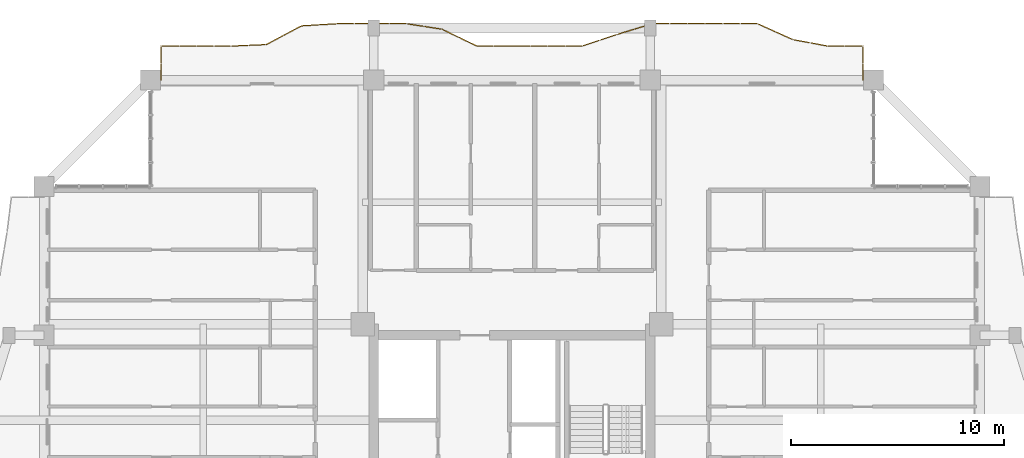
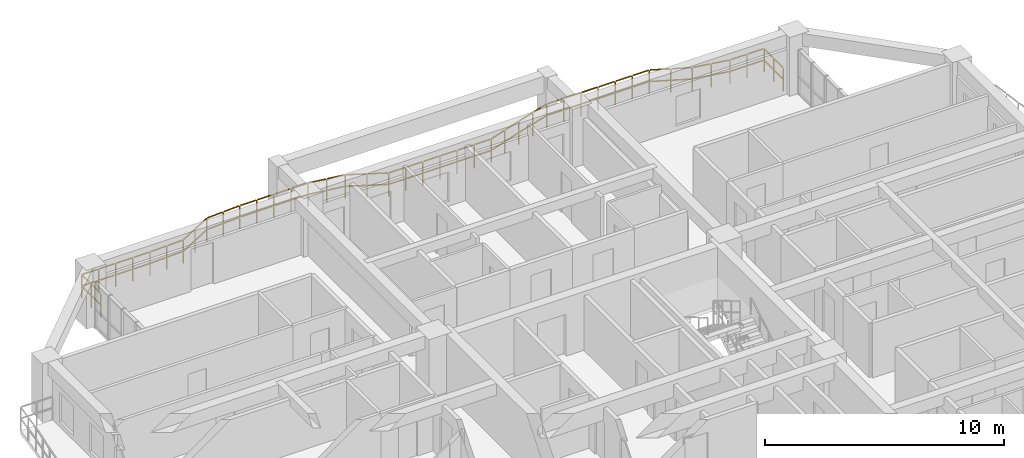
# One storey, part 23 of 23: 1 railing.
"""IFC4 building model written with IfcOpenShell, lengths in metres."""

import ifcopenshell
import ifcopenshell.guid

model = None  # the IFC model being written
_history = None  # IfcOwnerHistory: only IFC2X3 demands one
_inside = {}  # id of a spatial element -> (the spatial element, [elements in it])
_under = {}  # id of a project, library or spatial element -> (it, [spatial elements below it])
_declared = {}  # id of a project -> (the project, [libraries it declares])
_typed = {}  # id of a type object -> (the type object, [elements of that type])
_made_of = {}  # id of a material, layer set ... -> (it, [elements and type objects made of it])


def new_model(schema):
    """Start an empty IFC model of exactly this schema.

    Asked for "IFC4X3", IfcOpenShell would pick the latest addendum, in which some entities
    have other attributes; the version numbers below select the first issue.
    IFC2X3 requires an IfcOwnerHistory on every rooted entity: one is made here for all.
    """
    global model, _history
    if schema == "IFC4X3":
        model = ifcopenshell.file(schema_version=(4, 3, 0, 0))
    else:
        model = ifcopenshell.file(schema=schema)
    _inside.clear()
    _under.clear()
    _declared.clear()
    _typed.clear()
    _made_of.clear()
    _history = None
    if model.schema == "IFC2X3":
        org = make("IfcOrganization", Name="unknown")
        user = make(
            "IfcPersonAndOrganization",
            ThePerson=make("IfcPerson", FamilyName="unknown"),
            TheOrganization=org,
        )
        app = make(
            "IfcApplication",
            ApplicationDeveloper=org,
            Version="unknown",
            ApplicationFullName="unknown",
            ApplicationIdentifier="unknown",
        )
        _history = make(
            "IfcOwnerHistory",
            OwningUser=user,
            OwningApplication=app,
            ChangeAction="ADDED",
            CreationDate=0,
        )
    return model


def make(cls, **values):
    """One entity of the class cls with the attributes given. An attribute that is None is left unset."""
    return model.create_entity(
        cls, **{name: value for name, value in values.items() if value is not None}
    )


def rooted(cls, **values):
    """An entity with a GlobalId (a new one), such as an element, a storey or a relation."""
    return make(cls, GlobalId=ifcopenshell.guid.new(), OwnerHistory=_history, **values)


def si_unit(unit_type, name, prefix=None):
    """IfcSIUnit, for example si_unit("LENGTHUNIT", "METRE", prefix="MILLI")."""
    return make("IfcSIUnit", UnitType=unit_type, Prefix=prefix, Name=name)


def assignment(units):
    """IfcUnitAssignment: the units of a project."""
    return None if units is None else make("IfcUnitAssignment", Units=units)


def point(xyz):
    """IfcCartesianPoint."""
    return None if xyz is None else make("IfcCartesianPoint", Coordinates=xyz)


def direction(xyz):
    """IfcDirection."""
    return None if xyz is None else make("IfcDirection", DirectionRatios=xyz)


def frame(location, z_axis=None, x_axis=None):
    """IfcAxis2Placement3D, a coordinate frame: its origin and axes. An axis left out is left unset."""
    return make(
        "IfcAxis2Placement3D",
        Location=point(location),
        Axis=direction(z_axis),
        RefDirection=direction(x_axis),
    )


def frame_2d(location, x_axis=None):
    """IfcAxis2Placement2D, a coordinate frame in the plane: its origin and x axis."""
    return make(
        "IfcAxis2Placement2D", Location=point(location), RefDirection=direction(x_axis)
    )


def origin():
    """The frame at (0, 0, 0) with its axes left unset."""
    return frame((0.0, 0.0, 0.0))


def origin_2d():
    """The frame at (0, 0) in the plane with its x axis left unset."""
    return frame_2d((0.0, 0.0))


def place(relative_to, where):
    """IfcLocalPlacement: puts the frame where relative to a parent placement (None: the world)."""
    return make(
        "IfcLocalPlacement", PlacementRelTo=relative_to, RelativePlacement=where
    )


def context(
    kind, dimensions, precision=None, world=None, true_north=None, identifier=None
):
    """IfcGeometricRepresentationContext, for example the 3D "Model" context."""
    return make(
        "IfcGeometricRepresentationContext",
        ContextIdentifier=identifier,
        ContextType=kind,
        CoordinateSpaceDimension=dimensions,
        Precision=precision,
        WorldCoordinateSystem=world,
        TrueNorth=true_north,
    )


def subcontext(parent, identifier, kind, view, scale=None):
    """IfcGeometricRepresentationSubContext, for example "Body" below "Model"."""
    return make(
        "IfcGeometricRepresentationSubContext",
        ContextIdentifier=identifier,
        ContextType=kind,
        ParentContext=parent,
        TargetScale=scale,
        TargetView=view,
    )


def project(units=None, contexts=None):
    """IfcProject with its units and contexts."""
    return rooted(
        "IfcProject",
        Name="project",
        RepresentationContexts=contexts,
        UnitsInContext=assignment(units),
    )


def spatial(cls, under=None, at=None, **own):
    """A site, building, storey or space (cls), placed at a placement, below another one or the project."""
    s = rooted(cls, ObjectPlacement=at, **own)
    if under is not None:
        _under.setdefault(under.id(), (under, []))[1].append(s)
    return s


def profile(cls, at=None, kind="AREA", **sizes):
    """A parametric profile (cls). Its sizes go by their IFC names, for example OverallWidth=200.0."""
    return make(cls, ProfileType=kind, Position=at, **sizes)


def rectangle(**sizes):
    """IfcRectangleProfileDef."""
    return profile("IfcRectangleProfileDef", **sizes)


def extrude(swept, where, along, depth):
    """IfcExtrudedAreaSolid: the profile swept, set in the frame where, extruded along a direction by depth."""
    return make(
        "IfcExtrudedAreaSolid",
        SweptArea=swept,
        Position=where,
        ExtrudedDirection=direction(along),
        Depth=depth,
    )


def shape(context_of_items, identifier, shape_type, items):
    """IfcShapeRepresentation: the items that make up one representation, for example the "Body"."""
    return make(
        "IfcShapeRepresentation",
        ContextOfItems=context_of_items,
        RepresentationIdentifier=identifier,
        RepresentationType=shape_type,
        Items=items,
    )


def material(Name=None, Category=None):
    """IfcMaterial."""
    return make("IfcMaterial", Name=Name, Category=Category)


def made_of(thing, what):
    """Note that an element or type object is made of a material, layer set ...; save() writes the relation."""
    if what is not None:
        _made_of.setdefault(what.id(), (what, []))[1].append(thing)
    return thing


def type_object(cls, material=None, **own):
    """A type object (cls), such as IfcWallType, which elements share."""
    return made_of(rooted(cls, **own), material)


def element(
    cls,
    number,
    at=None,
    inside=None,
    cuts=None,
    type_object=None,
    material=None,
    context=None,
    identifier="Body",
    shape_type=None,
    held_by="IfcProductDefinitionShape",
    body=None,
    shapes=None,
    **own,
):
    """One element of the class cls, such as IfcWall. Its Tag is "e" and its number.

    at: its placement. inside: the storey or other place that contains it. cuts: it is an
    opening in that element (IfcRelVoidsElement). A single representation is given by context,
    identifier, shape_type and body (its items); several are given by shapes. held_by: the class
    of the entity that holds the representations. save() writes the other relations.
    """
    e = rooted(cls, Tag="e%d" % number, ObjectPlacement=at, **own)
    if body is not None:
        shapes = [shape(context, identifier, shape_type, body)]
    if shapes is not None:
        e.Representation = make(held_by, Representations=shapes)
    if inside is not None:
        _inside.setdefault(inside.id(), (inside, []))[1].append(e)
    if cuts is not None:
        rooted(
            "IfcRelVoidsElement", RelatingBuildingElement=cuts, RelatedOpeningElement=e
        )
    if type_object is not None:
        _typed.setdefault(type_object.id(), (type_object, []))[1].append(e)
    return made_of(e, material)


def aggregate(whole, parts):
    """IfcRelAggregates: a whole, such as a stair, and the parts it consists of."""
    return rooted("IfcRelAggregates", RelatingObject=whole, RelatedObjects=parts)


def save(model, path):
    """Write the relations noted so far, then the file.

    IfcRelAggregates (storeys below a building ...), IfcRelContainedInSpatialStructure (elements
    in a storey), IfcRelDefinesByType, IfcRelAssociatesMaterial and IfcRelDeclares: one each for
    every whole, place, type object, material and project.
    """
    for whole, parts in _under.values():
        aggregate(whole, parts)
    for where, things in _inside.values():
        rooted(
            "IfcRelContainedInSpatialStructure",
            RelatedElements=things,
            RelatingStructure=where,
        )
    for kind, things in _typed.values():
        rooted("IfcRelDefinesByType", RelatedObjects=things, RelatingType=kind)
    for what, things in _made_of.values():
        rooted("IfcRelAssociatesMaterial", RelatedObjects=things, RelatingMaterial=what)
    for by, libraries in _declared.values():
        rooted("IfcRelDeclares", RelatingContext=by, RelatedDefinitions=libraries)
    model.write(path)


model = new_model("IFC4")

# Units and contexts
model_context = context("Model", 3, precision=1e-05, world=origin(), true_north=direction((0.0, 1.0)))
body_context = subcontext(model_context, "Body", "Model", "MODEL_VIEW")
ifc_project = project(units=[si_unit("LENGTHUNIT", "METRE"), si_unit("AREAUNIT", "SQUARE_METRE"), si_unit("VOLUMEUNIT", "CUBIC_METRE"), si_unit("PLANEANGLEUNIT", "RADIAN"), si_unit("MASSUNIT", "GRAM", prefix="KILO")], contexts=[model_context])

# Site, building, storey
site_placement = place(None, origin())
site = spatial("IfcSite", under=ifc_project, at=site_placement, CompositionType="ELEMENT")
building_placement = place(site_placement, origin())
building = spatial("IfcBuilding", under=site, at=building_placement, Name="Saelheon Loggia Tower", CompositionType="ELEMENT")
storey_placement = place(building_placement, frame((0.0, 0.0, 156.10009765625)))
storey = spatial("IfcBuildingStorey", under=building, at=storey_placement, Name="L49", CompositionType="ELEMENT", Elevation=156.10009765625)

# Railing
ifc_material = material(Name="Architectural Precast Concrete and Laminated Glass Guard", Category="concrete")
railing_type = type_object("IfcRailingType", Name="Guard_Loggia_RL_LOG", PredefinedType="BALUSTRADE", material=ifc_material)
railing_placement = place(storey_placement, frame((54.5, 48.0, 0.0)))
element("IfcRailing", 1, at=railing_placement, inside=storey, type_object=railing_type, Name="L49 North Loggia Balustrade", PredefinedType="BALUSTRADE", context=body_context, shape_type="SweptSolid", body=[
    extrude(rectangle(XDim=0.048095703125, YDim=0.048095703125, at=origin_2d()), frame((0.0, 0.033203125, 1.19580078125), z_axis=(0.0, 1.0, 0.0), x_axis=(-1.0, 0.0, 0.0)), (0.0, 0.0, 1.0), 0.733642578125),
    extrude(rectangle(XDim=0.048095703125, YDim=0.048095703125, at=origin_2d()), frame((0.0, 0.033203125, 0.60986328125), z_axis=(0.0, 1.0, 0.0), x_axis=(-1.0, 0.0, 0.0)), (0.0, 0.0, 1.0), 0.733642578125),
    extrude(rectangle(XDim=0.048095703125, YDim=0.048095703125, at=origin_2d()), frame((0.0, 0.833251953125, 1.19580078125), z_axis=(0.0, 1.0, 0.0), x_axis=(-1.0, 0.0, 0.0)), (0.0, 0.0, 1.0), 0.733642578125),
    extrude(rectangle(XDim=0.048095703125, YDim=0.048095703125, at=origin_2d()), frame((0.0, 0.833251953125, 0.60986328125), z_axis=(0.0, 1.0, 0.0), x_axis=(-1.0, 0.0, 0.0)), (0.0, 0.0, 1.0), 0.733642578125),
    extrude(rectangle(XDim=0.048095703125, YDim=0.048095703125, at=origin_2d()), frame((-0.033203125, 1.60009765625, 1.19580078125), z_axis=(-1.0, 0.0, 0.0), x_axis=(0.0, -1.0, 0.0)), (0.0, 0.0, 1.0), 0.758544921875),
    extrude(rectangle(XDim=0.048095703125, YDim=0.048095703125, at=origin_2d()), frame((-0.033203125, 1.60009765625, 0.60986328125), z_axis=(-1.0, 0.0, 0.0), x_axis=(0.0, -1.0, 0.0)), (0.0, 0.0, 1.0), 0.758544921875),
    extrude(rectangle(XDim=0.048095703125, YDim=0.048095703125, at=origin_2d()), frame((-0.858154296875, 1.60009765625, 1.19580078125), z_axis=(-1.0, 0.0, 0.0), x_axis=(0.0, -1.0, 0.0)), (0.0, 0.0, 1.0), 0.758544921875),
    extrude(rectangle(XDim=0.048095703125, YDim=0.048095703125, at=origin_2d()), frame((-0.858154296875, 1.60009765625, 0.60986328125), z_axis=(-1.0, 0.0, 0.0), x_axis=(0.0, -1.0, 0.0)), (0.0, 0.0, 1.0), 0.758544921875),
    extrude(rectangle(XDim=0.048095703125, YDim=0.048095703125, at=origin_2d()), frame((-1.6826171875, 1.606201171875, 1.19580078125), z_axis=(-0.983168958675, 0.182698655437, 0.0), x_axis=(-0.182698655437, -0.983168958675, 0.0)), (0.0, 0.0, 1.0), 0.772705078125),
    extrude(rectangle(XDim=0.048095703125, YDim=0.048095703125, at=origin_2d()), frame((-1.6826171875, 1.606201171875, 0.60986328125), z_axis=(-0.983168958675, 0.182698655437, 0.0), x_axis=(-0.182698655437, -0.983168958675, 0.0)), (0.0, 0.0, 1.0), 0.772705078125),
    extrude(rectangle(XDim=0.048095703125, YDim=0.048095703125, at=origin_2d()), frame((-2.507568359375, 1.759521484375, 1.19580078125), z_axis=(-0.983168958675, 0.182698655437, 0.0), x_axis=(-0.182698655437, -0.983168958675, 0.0)), (0.0, 0.0, 1.0), 0.772705078125),
    extrude(rectangle(XDim=0.048095703125, YDim=0.048095703125, at=origin_2d()), frame((-2.507568359375, 1.759521484375, 0.60986328125), z_axis=(-0.983168958675, 0.182698655437, 0.0), x_axis=(-0.182698655437, -0.983168958675, 0.0)), (0.0, 0.0, 1.0), 0.772705078125),
    extrude(rectangle(XDim=0.048095703125, YDim=0.048095703125, at=origin_2d()), frame((-3.330322265625, 1.92041015625, 1.19580078125), z_axis=(-0.911775028972, 0.410690024888, 0.0), x_axis=(-0.410690024888, -0.911775028972, 0.0)), (0.0, 0.0, 1.0), 0.83837890625),
    extrude(rectangle(XDim=0.048095703125, YDim=0.048095703125, at=origin_2d()), frame((-3.330322265625, 1.92041015625, 0.60986328125), z_axis=(-0.911775028972, 0.410690024888, 0.0), x_axis=(-0.410690024888, -0.911775028972, 0.0)), (0.0, 0.0, 1.0), 0.83837890625),
    extrude(rectangle(XDim=0.048095703125, YDim=0.048095703125, at=origin_2d()), frame((-4.1552734375, 2.2919921875, 1.19580078125), z_axis=(-0.911775028972, 0.410690024888, 0.0), x_axis=(-0.410690024888, -0.911775028972, 0.0)), (0.0, 0.0, 1.0), 0.83837890625),
    extrude(rectangle(XDim=0.048095703125, YDim=0.048095703125, at=origin_2d()), frame((-4.1552734375, 2.2919921875, 0.60986328125), z_axis=(-0.911775028972, 0.410690024888, 0.0), x_axis=(-0.410690024888, -0.911775028972, 0.0)), (0.0, 0.0, 1.0), 0.83837890625),
    extrude(rectangle(XDim=0.048095703125, YDim=0.048095703125, at=origin_2d()), frame((-4.983154296875, 2.64990234375, 1.19580078125), z_axis=(-1.0, 0.0, 0.0), x_axis=(0.0, -1.0, 0.0)), (0.0, 0.0, 1.0), 0.758544921875),
    extrude(rectangle(XDim=0.048095703125, YDim=0.048095703125, at=origin_2d()), frame((-4.983154296875, 2.64990234375, 0.60986328125), z_axis=(-1.0, 0.0, 0.0), x_axis=(0.0, -1.0, 0.0)), (0.0, 0.0, 1.0), 0.758544921875),
    extrude(rectangle(XDim=0.048095703125, YDim=0.048095703125, at=origin_2d()), frame((-5.808349609375, 2.64990234375, 1.19580078125), z_axis=(-1.0, 0.0, 0.0), x_axis=(0.0, -1.0, 0.0)), (0.0, 0.0, 1.0), 0.758544921875),
    extrude(rectangle(XDim=0.048095703125, YDim=0.048095703125, at=origin_2d()), frame((-5.808349609375, 2.64990234375, 0.60986328125), z_axis=(-1.0, 0.0, 0.0), x_axis=(0.0, -1.0, 0.0)), (0.0, 0.0, 1.0), 0.758544921875),
    extrude(rectangle(XDim=0.048095703125, YDim=0.048095703125, at=origin_2d()), frame((-6.63330078125, 2.64990234375, 1.19580078125), z_axis=(-1.0, 0.0, 0.0), x_axis=(0.0, -1.0, 0.0)), (0.0, 0.0, 1.0), 0.758544921875),
    extrude(rectangle(XDim=0.048095703125, YDim=0.048095703125, at=origin_2d()), frame((-6.63330078125, 2.64990234375, 0.60986328125), z_axis=(-1.0, 0.0, 0.0), x_axis=(0.0, -1.0, 0.0)), (0.0, 0.0, 1.0), 0.758544921875),
    extrude(rectangle(XDim=0.048095703125, YDim=0.048095703125, at=origin_2d()), frame((-7.458251953125, 2.64990234375, 1.19580078125), z_axis=(-1.0, 0.0, 0.0), x_axis=(0.0, -1.0, 0.0)), (0.0, 0.0, 1.0), 0.758544921875),
    extrude(rectangle(XDim=0.048095703125, YDim=0.048095703125, at=origin_2d()), frame((-7.458251953125, 2.64990234375, 0.60986328125), z_axis=(-1.0, 0.0, 0.0), x_axis=(0.0, -1.0, 0.0)), (0.0, 0.0, 1.0), 0.758544921875),
    extrude(rectangle(XDim=0.048095703125, YDim=0.048095703125, at=origin_2d()), frame((-8.283203125, 2.64990234375, 1.19580078125), z_axis=(-1.0, 0.0, 0.0), x_axis=(0.0, -1.0, 0.0)), (0.0, 0.0, 1.0), 0.758544921875),
    extrude(rectangle(XDim=0.048095703125, YDim=0.048095703125, at=origin_2d()), frame((-8.283203125, 2.64990234375, 0.60986328125), z_axis=(-1.0, 0.0, 0.0), x_axis=(0.0, -1.0, 0.0)), (0.0, 0.0, 1.0), 0.758544921875),
    extrude(rectangle(XDim=0.048095703125, YDim=0.048095703125, at=origin_2d()), frame((-9.108154296875, 2.64990234375, 1.19580078125), z_axis=(-1.0, 0.0, 0.0), x_axis=(0.0, -1.0, 0.0)), (0.0, 0.0, 1.0), 0.758544921875),
    extrude(rectangle(XDim=0.048095703125, YDim=0.048095703125, at=origin_2d()), frame((-9.108154296875, 2.64990234375, 0.60986328125), z_axis=(-1.0, 0.0, 0.0), x_axis=(0.0, -1.0, 0.0)), (0.0, 0.0, 1.0), 0.758544921875),
    extrude(rectangle(XDim=0.048095703125, YDim=0.048095703125, at=origin_2d()), frame((-9.931640625, 2.640380859375, 1.19580078125), z_axis=(-0.957031549324, -0.289983816099, 0.0), x_axis=(0.289983816099, -0.957031549324, 0.0)), (0.0, 0.0, 1.0), 0.795654296875),
    extrude(rectangle(XDim=0.048095703125, YDim=0.048095703125, at=origin_2d()), frame((-9.931640625, 2.640380859375, 0.60986328125), z_axis=(-0.957031549324, -0.289983816099, 0.0), x_axis=(0.289983816099, -0.957031549324, 0.0)), (0.0, 0.0, 1.0), 0.795654296875),
    extrude(rectangle(XDim=0.048095703125, YDim=0.048095703125, at=origin_2d()), frame((-10.7568359375, 2.390380859375, 1.19580078125), z_axis=(-0.957031549324, -0.289983816099, 0.0), x_axis=(0.289983816099, -0.957031549324, 0.0)), (0.0, 0.0, 1.0), 0.795654296875),
    extrude(rectangle(XDim=0.048095703125, YDim=0.048095703125, at=origin_2d()), frame((-10.7568359375, 2.390380859375, 0.60986328125), z_axis=(-0.957031549324, -0.289983816099, 0.0), x_axis=(0.289983816099, -0.957031549324, 0.0)), (0.0, 0.0, 1.0), 0.795654296875),
    extrude(rectangle(XDim=0.048095703125, YDim=0.048095703125, at=origin_2d()), frame((-11.58154296875, 2.139404296875, 1.19580078125), z_axis=(-0.948711371002, -0.316143534699, 0.0), x_axis=(0.316143534699, -0.948711371002, 0.0)), (0.0, 0.0, 1.0), 0.802978515625),
    extrude(rectangle(XDim=0.048095703125, YDim=0.048095703125, at=origin_2d()), frame((-11.58154296875, 2.139404296875, 0.60986328125), z_axis=(-0.948711371002, -0.316143534699, 0.0), x_axis=(0.316143534699, -0.948711371002, 0.0)), (0.0, 0.0, 1.0), 0.802978515625),
    extrude(rectangle(XDim=0.048095703125, YDim=0.048095703125, at=origin_2d()), frame((-12.406494140625, 1.864501953125, 1.19580078125), z_axis=(-0.948711371002, -0.316143534699, 0.0), x_axis=(0.316143534699, -0.948711371002, 0.0)), (0.0, 0.0, 1.0), 0.802978515625),
    extrude(rectangle(XDim=0.048095703125, YDim=0.048095703125, at=origin_2d()), frame((-12.406494140625, 1.864501953125, 0.60986328125), z_axis=(-0.948711371002, -0.316143534699, 0.0), x_axis=(0.316143534699, -0.948711371002, 0.0)), (0.0, 0.0, 1.0), 0.802978515625),
    extrude(rectangle(XDim=0.048095703125, YDim=0.048095703125, at=origin_2d()), frame((-13.233154296875, 1.60009765625, 1.19580078125), z_axis=(-1.0, 0.0, 0.0), x_axis=(0.0, -1.0, 0.0)), (0.0, 0.0, 1.0), 0.758544921875),
    extrude(rectangle(XDim=0.048095703125, YDim=0.048095703125, at=origin_2d()), frame((-13.233154296875, 1.60009765625, 0.60986328125), z_axis=(-1.0, 0.0, 0.0), x_axis=(0.0, -1.0, 0.0)), (0.0, 0.0, 1.0), 0.758544921875),
    extrude(rectangle(XDim=0.048095703125, YDim=0.048095703125, at=origin_2d()), frame((-14.058349609375, 1.60009765625, 1.19580078125), z_axis=(-1.0, 0.0, 0.0), x_axis=(0.0, -1.0, 0.0)), (0.0, 0.0, 1.0), 0.758544921875),
    extrude(rectangle(XDim=0.048095703125, YDim=0.048095703125, at=origin_2d()), frame((-14.058349609375, 1.60009765625, 0.60986328125), z_axis=(-1.0, 0.0, 0.0), x_axis=(0.0, -1.0, 0.0)), (0.0, 0.0, 1.0), 0.758544921875),
    extrude(rectangle(XDim=0.048095703125, YDim=0.048095703125, at=origin_2d()), frame((-14.88330078125, 1.60009765625, 1.19580078125), z_axis=(-1.0, 0.0, 0.0), x_axis=(0.0, -1.0, 0.0)), (0.0, 0.0, 1.0), 0.758544921875),
    extrude(rectangle(XDim=0.048095703125, YDim=0.048095703125, at=origin_2d()), frame((-14.88330078125, 1.60009765625, 0.60986328125), z_axis=(-1.0, 0.0, 0.0), x_axis=(0.0, -1.0, 0.0)), (0.0, 0.0, 1.0), 0.758544921875),
    extrude(rectangle(XDim=0.048095703125, YDim=0.048095703125, at=origin_2d()), frame((-15.708251953125, 1.60009765625, 1.19580078125), z_axis=(-1.0, 0.0, 0.0), x_axis=(0.0, -1.0, 0.0)), (0.0, 0.0, 1.0), 0.758544921875),
    extrude(rectangle(XDim=0.048095703125, YDim=0.048095703125, at=origin_2d()), frame((-15.708251953125, 1.60009765625, 0.60986328125), z_axis=(-1.0, 0.0, 0.0), x_axis=(0.0, -1.0, 0.0)), (0.0, 0.0, 1.0), 0.758544921875),
    extrude(rectangle(XDim=0.048095703125, YDim=0.048095703125, at=origin_2d()), frame((-16.533203125, 1.60009765625, 1.19580078125), z_axis=(-1.0, 0.0, 0.0), x_axis=(0.0, -1.0, 0.0)), (0.0, 0.0, 1.0), 0.758544921875),
    extrude(rectangle(XDim=0.048095703125, YDim=0.048095703125, at=origin_2d()), frame((-16.533203125, 1.60009765625, 0.60986328125), z_axis=(-1.0, 0.0, 0.0), x_axis=(0.0, -1.0, 0.0)), (0.0, 0.0, 1.0), 0.758544921875),
    extrude(rectangle(XDim=0.048095703125, YDim=0.048095703125, at=origin_2d()), frame((-17.358154296875, 1.60009765625, 1.19580078125), z_axis=(-1.0, 0.0, 0.0), x_axis=(0.0, -1.0, 0.0)), (0.0, 0.0, 1.0), 0.758544921875),
    extrude(rectangle(XDim=0.048095703125, YDim=0.048095703125, at=origin_2d()), frame((-17.358154296875, 1.60009765625, 0.60986328125), z_axis=(-1.0, 0.0, 0.0), x_axis=(0.0, -1.0, 0.0)), (0.0, 0.0, 1.0), 0.758544921875),
    extrude(rectangle(XDim=0.048095703125, YDim=0.048095703125, at=origin_2d()), frame((-18.179931640625, 1.614501953125, 1.19580078125), z_axis=(-0.9012794603, 0.433238195963, 0.0), x_axis=(-0.433238195963, -0.9012794603, 0.0)), (0.0, 0.0, 1.0), 0.848876953125),
    extrude(rectangle(XDim=0.048095703125, YDim=0.048095703125, at=origin_2d()), frame((-18.179931640625, 1.614501953125, 0.60986328125), z_axis=(-0.9012794603, 0.433238195963, 0.0), x_axis=(-0.433238195963, -0.9012794603, 0.0)), (0.0, 0.0, 1.0), 0.848876953125),
    extrude(rectangle(XDim=0.048095703125, YDim=0.048095703125, at=origin_2d()), frame((-19.0048828125, 2.010986328125, 1.19580078125), z_axis=(-0.9012794603, 0.433238195963, 0.0), x_axis=(-0.433238195963, -0.9012794603, 0.0)), (0.0, 0.0, 1.0), 0.848876953125),
    extrude(rectangle(XDim=0.048095703125, YDim=0.048095703125, at=origin_2d()), frame((-19.0048828125, 2.010986328125, 0.60986328125), z_axis=(-0.9012794603, 0.433238195963, 0.0), x_axis=(-0.433238195963, -0.9012794603, 0.0)), (0.0, 0.0, 1.0), 0.848876953125),
    extrude(rectangle(XDim=0.048095703125, YDim=0.048095703125, at=origin_2d()), frame((-19.8330078125, 2.3984375, 1.19580078125), z_axis=(-0.988121896769, 0.153672109131, 0.0), x_axis=(-0.153672109131, -0.988121896769, 0.0)), (0.0, 0.0, 1.0), 0.768310546875),
    extrude(rectangle(XDim=0.048095703125, YDim=0.048095703125, at=origin_2d()), frame((-19.8330078125, 2.3984375, 0.60986328125), z_axis=(-0.988121896769, 0.153672109131, 0.0), x_axis=(-0.153672109131, -0.988121896769, 0.0)), (0.0, 0.0, 1.0), 0.768310546875),
    extrude(rectangle(XDim=0.048095703125, YDim=0.048095703125, at=origin_2d()), frame((-20.657958984375, 2.526611328125, 1.19580078125), z_axis=(-0.988121896769, 0.153672109131, 0.0), x_axis=(-0.153672109131, -0.988121896769, 0.0)), (0.0, 0.0, 1.0), 0.768310546875),
    extrude(rectangle(XDim=0.048095703125, YDim=0.048095703125, at=origin_2d()), frame((-20.657958984375, 2.526611328125, 0.60986328125), z_axis=(-0.988121896769, 0.153672109131, 0.0), x_axis=(-0.153672109131, -0.988121896769, 0.0)), (0.0, 0.0, 1.0), 0.768310546875),
    extrude(rectangle(XDim=0.048095703125, YDim=0.048095703125, at=origin_2d()), frame((-21.483154296875, 2.64990234375, 1.19580078125), z_axis=(-1.0, 0.0, 0.0), x_axis=(0.0, -1.0, 0.0)), (0.0, 0.0, 1.0), 0.758544921875),
    extrude(rectangle(XDim=0.048095703125, YDim=0.048095703125, at=origin_2d()), frame((-21.483154296875, 2.64990234375, 0.60986328125), z_axis=(-1.0, 0.0, 0.0), x_axis=(0.0, -1.0, 0.0)), (0.0, 0.0, 1.0), 0.758544921875),
    extrude(rectangle(XDim=0.048095703125, YDim=0.048095703125, at=origin_2d()), frame((-22.308349609375, 2.64990234375, 1.19580078125), z_axis=(-1.0, 0.0, 0.0), x_axis=(0.0, -1.0, 0.0)), (0.0, 0.0, 1.0), 0.758544921875),
    extrude(rectangle(XDim=0.048095703125, YDim=0.048095703125, at=origin_2d()), frame((-22.308349609375, 2.64990234375, 0.60986328125), z_axis=(-1.0, 0.0, 0.0), x_axis=(0.0, -1.0, 0.0)), (0.0, 0.0, 1.0), 0.758544921875),
    extrude(rectangle(XDim=0.048095703125, YDim=0.048095703125, at=origin_2d()), frame((-23.13330078125, 2.64990234375, 1.19580078125), z_axis=(-1.0, 0.0, 0.0), x_axis=(0.0, -1.0, 0.0)), (0.0, 0.0, 1.0), 0.758544921875),
    extrude(rectangle(XDim=0.048095703125, YDim=0.048095703125, at=origin_2d()), frame((-23.13330078125, 2.64990234375, 0.60986328125), z_axis=(-1.0, 0.0, 0.0), x_axis=(0.0, -1.0, 0.0)), (0.0, 0.0, 1.0), 0.758544921875),
    extrude(rectangle(XDim=0.048095703125, YDim=0.048095703125, at=origin_2d()), frame((-23.958251953125, 2.64990234375, 1.19580078125), z_axis=(-1.0, 0.0, 0.0), x_axis=(0.0, -1.0, 0.0)), (0.0, 0.0, 1.0), 0.758544921875),
    extrude(rectangle(XDim=0.048095703125, YDim=0.048095703125, at=origin_2d()), frame((-23.958251953125, 2.64990234375, 0.60986328125), z_axis=(-1.0, 0.0, 0.0), x_axis=(0.0, -1.0, 0.0)), (0.0, 0.0, 1.0), 0.758544921875),
    extrude(rectangle(XDim=0.048095703125, YDim=0.048095703125, at=origin_2d()), frame((-24.783203125, 2.64794921875, 1.19580078125), z_axis=(-0.998226679192, -0.059527279034, 0.0), x_axis=(0.059527279034, -0.998226679192, 0.0)), (0.0, 0.0, 1.0), 0.760009765625),
    extrude(rectangle(XDim=0.048095703125, YDim=0.048095703125, at=origin_2d()), frame((-24.783203125, 2.64794921875, 0.60986328125), z_axis=(-0.998226679192, -0.059527279034, 0.0), x_axis=(0.059527279034, -0.998226679192, 0.0)), (0.0, 0.0, 1.0), 0.760009765625),
    extrude(rectangle(XDim=0.048095703125, YDim=0.048095703125, at=origin_2d()), frame((-25.608154296875, 2.5986328125, 1.19580078125), z_axis=(-0.998226679192, -0.059527279034, 0.0), x_axis=(0.059527279034, -0.998226679192, 0.0)), (0.0, 0.0, 1.0), 0.760009765625),
    extrude(rectangle(XDim=0.048095703125, YDim=0.048095703125, at=origin_2d()), frame((-25.608154296875, 2.5986328125, 0.60986328125), z_axis=(-0.998226679192, -0.059527279034, 0.0), x_axis=(0.059527279034, -0.998226679192, 0.0)), (0.0, 0.0, 1.0), 0.760009765625),
    extrude(rectangle(XDim=0.048095703125, YDim=0.048095703125, at=origin_2d()), frame((-26.42919921875, 2.535888671875, 1.19580078125), z_axis=(-0.882342099977, -0.470608561979, 0.0), x_axis=(0.470608561979, -0.882342099977, 0.0)), (0.0, 0.0, 1.0), 0.86865234375),
    extrude(rectangle(XDim=0.048095703125, YDim=0.048095703125, at=origin_2d()), frame((-26.42919921875, 2.535888671875, 0.60986328125), z_axis=(-0.882342099977, -0.470608561979, 0.0), x_axis=(0.470608561979, -0.882342099977, 0.0)), (0.0, 0.0, 1.0), 0.86865234375),
    extrude(rectangle(XDim=0.048095703125, YDim=0.048095703125, at=origin_2d()), frame((-27.25439453125, 2.095703125, 1.19580078125), z_axis=(-0.882342099977, -0.470608561979, 0.0), x_axis=(0.470608561979, -0.882342099977, 0.0)), (0.0, 0.0, 1.0), 0.86865234375),
    extrude(rectangle(XDim=0.048095703125, YDim=0.048095703125, at=origin_2d()), frame((-27.25439453125, 2.095703125, 0.60986328125), z_axis=(-0.882342099977, -0.470608561979, 0.0), x_axis=(0.470608561979, -0.882342099977, 0.0)), (0.0, 0.0, 1.0), 0.86865234375),
    extrude(rectangle(XDim=0.048095703125, YDim=0.048095703125, at=origin_2d()), frame((-28.083251953125, 1.669921875, 1.19580078125), z_axis=(-0.999067837233, -0.043167772784, 0.0), x_axis=(0.043167772784, -0.999067837233, 0.0)), (0.0, 0.0, 1.0), 0.75927734375),
    extrude(rectangle(XDim=0.048095703125, YDim=0.048095703125, at=origin_2d()), frame((-28.083251953125, 1.669921875, 0.60986328125), z_axis=(-0.999067837233, -0.043167772784, 0.0), x_axis=(0.043167772784, -0.999067837233, 0.0)), (0.0, 0.0, 1.0), 0.75927734375),
    extrude(rectangle(XDim=0.048095703125, YDim=0.048095703125, at=origin_2d()), frame((-28.908203125, 1.63427734375, 1.19580078125), z_axis=(-0.999067837233, -0.043167772784, 0.0), x_axis=(0.043167772784, -0.999067837233, 0.0)), (0.0, 0.0, 1.0), 0.75927734375),
    extrude(rectangle(XDim=0.048095703125, YDim=0.048095703125, at=origin_2d()), frame((-28.908203125, 1.63427734375, 0.60986328125), z_axis=(-0.999067837233, -0.043167772784, 0.0), x_axis=(0.043167772784, -0.999067837233, 0.0)), (0.0, 0.0, 1.0), 0.75927734375),
    extrude(rectangle(XDim=0.048095703125, YDim=0.048095703125, at=origin_2d()), frame((-29.733154296875, 1.60009765625, 1.19580078125), z_axis=(-1.0, 0.0, 0.0), x_axis=(0.0, -1.0, 0.0)), (0.0, 0.0, 1.0), 0.758544921875),
    extrude(rectangle(XDim=0.048095703125, YDim=0.048095703125, at=origin_2d()), frame((-29.733154296875, 1.60009765625, 0.60986328125), z_axis=(-1.0, 0.0, 0.0), x_axis=(0.0, -1.0, 0.0)), (0.0, 0.0, 1.0), 0.758544921875),
    extrude(rectangle(XDim=0.048095703125, YDim=0.048095703125, at=origin_2d()), frame((-30.558349609375, 1.60009765625, 1.19580078125), z_axis=(-1.0, 0.0, 0.0), x_axis=(0.0, -1.0, 0.0)), (0.0, 0.0, 1.0), 0.758544921875),
    extrude(rectangle(XDim=0.048095703125, YDim=0.048095703125, at=origin_2d()), frame((-30.558349609375, 1.60009765625, 0.60986328125), z_axis=(-1.0, 0.0, 0.0), x_axis=(0.0, -1.0, 0.0)), (0.0, 0.0, 1.0), 0.758544921875),
    extrude(rectangle(XDim=0.048095703125, YDim=0.048095703125, at=origin_2d()), frame((-31.38330078125, 1.60009765625, 1.19580078125), z_axis=(-1.0, 0.0, 0.0), x_axis=(0.0, -1.0, 0.0)), (0.0, 0.0, 1.0), 0.758544921875),
    extrude(rectangle(XDim=0.048095703125, YDim=0.048095703125, at=origin_2d()), frame((-31.38330078125, 1.60009765625, 0.60986328125), z_axis=(-1.0, 0.0, 0.0), x_axis=(0.0, -1.0, 0.0)), (0.0, 0.0, 1.0), 0.758544921875),
    extrude(rectangle(XDim=0.048095703125, YDim=0.048095703125, at=origin_2d()), frame((-32.208251953125, 1.60009765625, 1.19580078125), z_axis=(-1.0, 0.0, 0.0), x_axis=(0.0, -1.0, 0.0)), (0.0, 0.0, 1.0), 0.758544921875),
    extrude(rectangle(XDim=0.048095703125, YDim=0.048095703125, at=origin_2d()), frame((-32.208251953125, 1.60009765625, 0.60986328125), z_axis=(-1.0, 0.0, 0.0), x_axis=(0.0, -1.0, 0.0)), (0.0, 0.0, 1.0), 0.758544921875),
    extrude(rectangle(XDim=0.048095703125, YDim=0.048095703125, at=origin_2d()), frame((-33.0, 1.56689453125, 1.19580078125), z_axis=(0.0, -1.0, 0.0), x_axis=(1.0, 0.0, 0.0)), (0.0, 0.0, 1.0), 0.733642578125),
    extrude(rectangle(XDim=0.048095703125, YDim=0.048095703125, at=origin_2d()), frame((-33.0, 1.56689453125, 0.60986328125), z_axis=(0.0, -1.0, 0.0), x_axis=(1.0, 0.0, 0.0)), (0.0, 0.0, 1.0), 0.733642578125),
    extrude(rectangle(XDim=0.048095703125, YDim=0.048095703125, at=origin_2d()), frame((-33.0, 0.766845703125, 1.19580078125), z_axis=(0.0, -1.0, 0.0), x_axis=(1.0, 0.0, 0.0)), (0.0, 0.0, 1.0), 0.733642578125),
    extrude(rectangle(XDim=0.048095703125, YDim=0.048095703125, at=origin_2d()), frame((-33.0, 0.766845703125, 0.60986328125), z_axis=(0.0, -1.0, 0.0), x_axis=(1.0, 0.0, 0.0)), (0.0, 0.0, 1.0), 0.733642578125),
    extrude(rectangle(XDim=0.0419921875, YDim=0.0419921875, at=origin_2d()), origin(), (0.0, 0.0, 1.0), 1.16796875),
    extrude(rectangle(XDim=0.0419921875, YDim=0.0419921875, at=origin_2d()), frame((0.0, 0.800048828125, 0.0)), (0.0, 0.0, 1.0), 1.16796875),
    extrude(rectangle(XDim=0.0419921875, YDim=0.0419921875, at=origin_2d()), frame((0.0, 1.60009765625, 0.0)), (0.0, 0.0, 1.0), 1.16796875),
    extrude(rectangle(XDim=0.0419921875, YDim=0.0419921875, at=origin_2d()), frame((-0.824951171875, 1.60009765625, 0.0)), (0.0, 0.0, 1.0), 1.16796875),
    extrude(rectangle(XDim=0.0419921875, YDim=0.0419921875, at=origin_2d()), frame((-1.64990234375, 1.60009765625, 0.0)), (0.0, 0.0, 1.0), 1.16796875),
    extrude(rectangle(XDim=0.0419921875, YDim=0.0419921875, at=origin_2d()), frame((-2.47509765625, 1.75341796875, 0.0)), (0.0, 0.0, 1.0), 1.16796875),
    extrude(rectangle(XDim=0.0419921875, YDim=0.0419921875, at=origin_2d()), frame((-3.300048828125, 1.90673828125, 0.0)), (0.0, 0.0, 1.0), 1.16796875),
    extrude(rectangle(XDim=0.0419921875, YDim=0.0419921875, at=origin_2d()), frame((-4.125, 2.2783203125, 0.0)), (0.0, 0.0, 1.0), 1.16796875),
    extrude(rectangle(XDim=0.0419921875, YDim=0.0419921875, at=origin_2d()), frame((-4.949951171875, 2.64990234375, 0.0)), (0.0, 0.0, 1.0), 1.16796875),
    extrude(rectangle(XDim=0.0419921875, YDim=0.0419921875, at=origin_2d()), frame((-5.77490234375, 2.64990234375, 0.0)), (0.0, 0.0, 1.0), 1.16796875),
    extrude(rectangle(XDim=0.0419921875, YDim=0.0419921875, at=origin_2d()), frame((-6.60009765625, 2.64990234375, 0.0)), (0.0, 0.0, 1.0), 1.16796875),
    extrude(rectangle(XDim=0.0419921875, YDim=0.0419921875, at=origin_2d()), frame((-7.425048828125, 2.64990234375, 0.0)), (0.0, 0.0, 1.0), 1.16796875),
    extrude(rectangle(XDim=0.0419921875, YDim=0.0419921875, at=origin_2d()), frame((-8.25, 2.64990234375, 0.0)), (0.0, 0.0, 1.0), 1.16796875),
    extrude(rectangle(XDim=0.0419921875, YDim=0.0419921875, at=origin_2d()), frame((-9.074951171875, 2.64990234375, 0.0)), (0.0, 0.0, 1.0), 1.16796875),
    extrude(rectangle(XDim=0.0419921875, YDim=0.0419921875, at=origin_2d()), frame((-9.89990234375, 2.64990234375, 0.0)), (0.0, 0.0, 1.0), 1.16796875),
    extrude(rectangle(XDim=0.0419921875, YDim=0.0419921875, at=origin_2d()), frame((-10.72509765625, 2.39990234375, 0.0)), (0.0, 0.0, 1.0), 1.16796875),
    extrude(rectangle(XDim=0.0419921875, YDim=0.0419921875, at=origin_2d()), frame((-11.550048828125, 2.14990234375, 0.0)), (0.0, 0.0, 1.0), 1.16796875),
    extrude(rectangle(XDim=0.0419921875, YDim=0.0419921875, at=origin_2d()), frame((-12.375, 1.875, 0.0)), (0.0, 0.0, 1.0), 1.16796875),
    extrude(rectangle(XDim=0.0419921875, YDim=0.0419921875, at=origin_2d()), frame((-13.199951171875, 1.60009765625, 0.0)), (0.0, 0.0, 1.0), 1.16796875),
    extrude(rectangle(XDim=0.0419921875, YDim=0.0419921875, at=origin_2d()), frame((-14.02490234375, 1.60009765625, 0.0)), (0.0, 0.0, 1.0), 1.16796875),
    extrude(rectangle(XDim=0.0419921875, YDim=0.0419921875, at=origin_2d()), frame((-14.85009765625, 1.60009765625, 0.0)), (0.0, 0.0, 1.0), 1.16796875),
    extrude(rectangle(XDim=0.0419921875, YDim=0.0419921875, at=origin_2d()), frame((-15.675048828125, 1.60009765625, 0.0)), (0.0, 0.0, 1.0), 1.16796875),
    extrude(rectangle(XDim=0.0419921875, YDim=0.0419921875, at=origin_2d()), frame((-16.5, 1.60009765625, 0.0)), (0.0, 0.0, 1.0), 1.16796875),
    extrude(rectangle(XDim=0.0419921875, YDim=0.0419921875, at=origin_2d()), frame((-17.324951171875, 1.60009765625, 0.0)), (0.0, 0.0, 1.0), 1.16796875),
    extrude(rectangle(XDim=0.0419921875, YDim=0.0419921875, at=origin_2d()), frame((-18.14990234375, 1.60009765625, 0.0)), (0.0, 0.0, 1.0), 1.16796875),
    extrude(rectangle(XDim=0.0419921875, YDim=0.0419921875, at=origin_2d()), frame((-18.97509765625, 1.99658203125, 0.0)), (0.0, 0.0, 1.0), 1.16796875),
    extrude(rectangle(XDim=0.0419921875, YDim=0.0419921875, at=origin_2d()), frame((-19.800048828125, 2.393310546875, 0.0)), (0.0, 0.0, 1.0), 1.16796875),
    extrude(rectangle(XDim=0.0419921875, YDim=0.0419921875, at=origin_2d()), frame((-20.625, 2.521484375, 0.0)), (0.0, 0.0, 1.0), 1.16796875),
    extrude(rectangle(XDim=0.0419921875, YDim=0.0419921875, at=origin_2d()), frame((-21.449951171875, 2.64990234375, 0.0)), (0.0, 0.0, 1.0), 1.16796875),
    extrude(rectangle(XDim=0.0419921875, YDim=0.0419921875, at=origin_2d()), frame((-22.27490234375, 2.64990234375, 0.0)), (0.0, 0.0, 1.0), 1.16796875),
    extrude(rectangle(XDim=0.0419921875, YDim=0.0419921875, at=origin_2d()), frame((-23.10009765625, 2.64990234375, 0.0)), (0.0, 0.0, 1.0), 1.16796875),
    extrude(rectangle(XDim=0.0419921875, YDim=0.0419921875, at=origin_2d()), frame((-23.925048828125, 2.64990234375, 0.0)), (0.0, 0.0, 1.0), 1.16796875),
    extrude(rectangle(XDim=0.0419921875, YDim=0.0419921875, at=origin_2d()), frame((-24.75, 2.64990234375, 0.0)), (0.0, 0.0, 1.0), 1.16796875),
    extrude(rectangle(XDim=0.0419921875, YDim=0.0419921875, at=origin_2d()), frame((-25.574951171875, 2.6005859375, 0.0)), (0.0, 0.0, 1.0), 1.16796875),
    extrude(rectangle(XDim=0.0419921875, YDim=0.0419921875, at=origin_2d()), frame((-26.39990234375, 2.551513671875, 0.0)), (0.0, 0.0, 1.0), 1.16796875),
    extrude(rectangle(XDim=0.0419921875, YDim=0.0419921875, at=origin_2d()), frame((-27.22509765625, 2.111328125, 0.0)), (0.0, 0.0, 1.0), 1.16796875),
    extrude(rectangle(XDim=0.0419921875, YDim=0.0419921875, at=origin_2d()), frame((-28.050048828125, 1.67138671875, 0.0)), (0.0, 0.0, 1.0), 1.16796875),
    extrude(rectangle(XDim=0.0419921875, YDim=0.0419921875, at=origin_2d()), frame((-28.875, 1.6357421875, 0.0)), (0.0, 0.0, 1.0), 1.16796875),
    extrude(rectangle(XDim=0.0419921875, YDim=0.0419921875, at=origin_2d()), frame((-29.699951171875, 1.60009765625, 0.0)), (0.0, 0.0, 1.0), 1.16796875),
    extrude(rectangle(XDim=0.0419921875, YDim=0.0419921875, at=origin_2d()), frame((-30.52490234375, 1.60009765625, 0.0)), (0.0, 0.0, 1.0), 1.16796875),
    extrude(rectangle(XDim=0.0419921875, YDim=0.0419921875, at=origin_2d()), frame((-31.35009765625, 1.60009765625, 0.0)), (0.0, 0.0, 1.0), 1.16796875),
    extrude(rectangle(XDim=0.0419921875, YDim=0.0419921875, at=origin_2d()), frame((-32.175048828125, 1.60009765625, 0.0)), (0.0, 0.0, 1.0), 1.16796875),
    extrude(rectangle(XDim=0.0419921875, YDim=0.0419921875, at=origin_2d()), frame((-33.0, 1.60009765625, 0.0)), (0.0, 0.0, 1.0), 1.16796875),
    extrude(rectangle(XDim=0.0419921875, YDim=0.0419921875, at=origin_2d()), frame((-33.0, 0.800048828125, 0.0)), (0.0, 0.0, 1.0), 1.16796875),
    extrude(rectangle(XDim=0.0419921875, YDim=0.0419921875, at=origin_2d()), frame((-33.0, 0.0, 0.0)), (0.0, 0.0, 1.0), 1.16796875),
])

save(model, "model.ifc")
